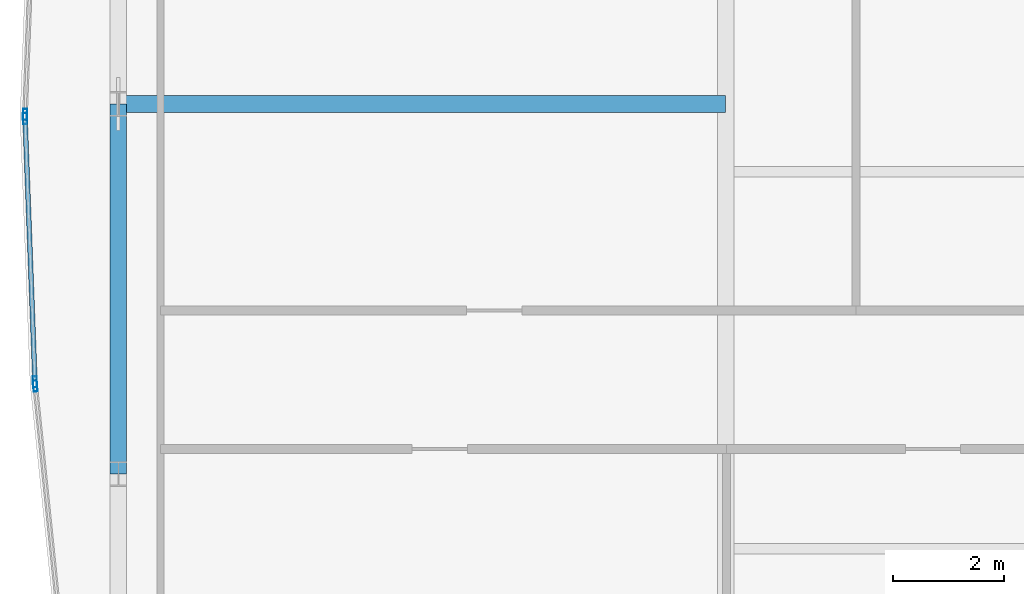
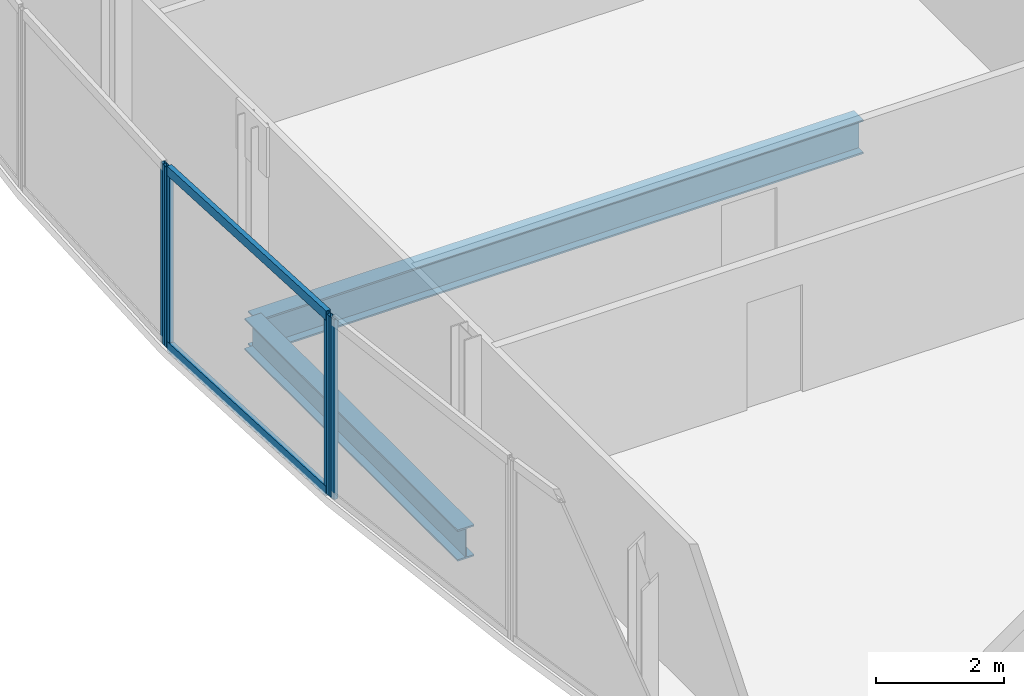
# One storey, part 10 of 32: 6 members, 2 beams, 3 elements without a shape of their own.
"""IFC4 building model written with IfcOpenShell, lengths in metres."""

from ifc_helpers import new_model, si_unit, direction, frame, origin, origin_2d, place, context, subcontext, project, spatial, hollow_rectangle, i_section, extrude, material, material_profile, profile_set, type_object, element, aggregate, save


model = new_model("IFC4")

# Units and contexts
model_context = context("Model", 3, precision=1e-05, world=origin(), true_north=direction((0.0, 1.0)))
body_context = subcontext(model_context, "Body", "Model", "MODEL_VIEW")
ifc_project = project(units=[si_unit("LENGTHUNIT", "METRE"), si_unit("AREAUNIT", "SQUARE_METRE"), si_unit("VOLUMEUNIT", "CUBIC_METRE"), si_unit("PLANEANGLEUNIT", "RADIAN"), si_unit("MASSUNIT", "GRAM", prefix="KILO")], contexts=[model_context])

# Site, building, storey
site_placement = place(None, origin())
site = spatial("IfcSite", under=ifc_project, at=site_placement, CompositionType="ELEMENT")
building_placement = place(site_placement, origin())
building = spatial("IfcBuilding", under=site, at=building_placement, Name="Khoronbel Lancet Exchange", CompositionType="ELEMENT")
storey_placement = place(building_placement, frame((0.0, 0.0, 228.199951171875)))
storey = spatial("IfcBuildingStorey", under=building, at=storey_placement, Name="L58", CompositionType="ELEMENT", Elevation=228.199951171875)

# Beams
ifc_material_1 = material(Name="Steel S355", Category="steel")
ifc_material_profile_1 = material_profile(ifc_material_1, i_section(OverallWidth=0.300048828125, OverallDepth=0.64990234375, WebThickness=0.01611328125, FlangeThickness=0.031005859375, at=origin_2d()), Name="HEB 650")
ifc_profile_set_1 = profile_set([ifc_material_profile_1], Name="Steel S355")
beam_type_1 = type_object("IfcBeamType", Name="BM-BG4", PredefinedType="BEAM", material=ifc_profile_set_1)
beam_1_placement = place(storey_placement, frame((7.27001953125, 31.425048828125, -0.48486328125), z_axis=(1.0, 0.0, 0.0), x_axis=(0.0, 1.0, 0.0)))
element("IfcBeam", 1, at=beam_1_placement, inside=storey, type_object=beam_type_1, Name="Level L58 west lens tie girder LG2W", PredefinedType="BEAM", context=body_context, shape_type="SweptSolid", body=[
    extrude(i_section(OverallWidth=0.300048828125, OverallDepth=0.64990234375, WebThickness=0.01611328125, FlangeThickness=0.031005859375, at=origin_2d()), origin(), (0.0, 0.0, 1.0), 10.955078125),
])
ifc_material_profile_2 = material_profile(ifc_material_1, i_section(OverallWidth=0.300048828125, OverallDepth=0.60009765625, WebThickness=0.015380859375, FlangeThickness=0.030029296875, at=origin_2d()), Name="HEB 600")
ifc_profile_set_2 = profile_set([ifc_material_profile_2], Name="Steel S355")
beam_type_2 = type_object("IfcBeamType", Name="BM-BSP2", PredefinedType="SPANDREL", material=ifc_profile_set_2)
beam_2_placement = place(storey_placement, frame((7.27001953125, 31.425048828125, -0.4599609375), z_axis=(0.0, -1.0, 0.0), x_axis=(1.0, 0.0, 0.0)))
element("IfcBeam", 2, at=beam_2_placement, inside=storey, type_object=beam_type_2, Name="Level L58 perimeter spandrel beam SP19", PredefinedType="SPANDREL", context=body_context, shape_type="SweptSolid", body=[
    extrude(i_section(OverallWidth=0.300048828125, OverallDepth=0.60009765625, WebThickness=0.015380859375, FlangeThickness=0.030029296875, at=origin_2d()), origin(), (0.0, 0.0, 1.0), 6.675048828125),
])

# Curtain wall, member
ifc_material_2 = material(Name="Low-E Solar Control Insulating Glass", Category="glass")
curtain_wall_type = type_object("IfcCurtainWallType", Name="CW-4", PredefinedType="NOTDEFINED", material=ifc_material_2)
curtain_wall_1_placement = place(storey_placement, origin())
curtain_wall_1 = element("IfcCurtainWall", 3, at=curtain_wall_1_placement, inside=storey, type_object=curtain_wall_type, Name="Unitised curtain wall CW-L58-E05", PredefinedType="NOTDEFINED")
ifc_material_3 = material(Name="Bronze-Anodised Aluminium 6063-T6", Category="aluminium")
ifc_material_profile_3 = material_profile(ifc_material_3, hollow_rectangle(XDim=0.074951171875, YDim=0.199951171875, WallThickness=0.0048828125, at=origin_2d()), Name="ALU MULLION 75x200")
ifc_profile_set_3 = profile_set([ifc_material_profile_3], Name="Bronze-Anodised Aluminium 6063-T6")
member_type_1 = type_object("IfcMemberType", Name="MEM-CWM2", PredefinedType="MULLION", material=ifc_profile_set_3)
member_1_placement = place(storey_placement, frame((5.769775390625, 26.335693359375, 0.0), z_axis=(0.0, 0.0, 1.0), x_axis=(-0.994772481584, -0.102116158773, 0.0)))
member_1 = element("IfcMember", 4, at=member_1_placement, type_object=member_type_1, Name="CW4 mullion 2", PredefinedType="MULLION", context=body_context, shape_type="SweptSolid", body=[
    extrude(hollow_rectangle(XDim=0.074951171875, YDim=0.199951171875, WallThickness=0.0048828125, at=origin_2d()), origin(), (0.0, 0.0, 1.0), 3.43994140625),
])
aggregate(curtain_wall_1, [member_1])

# Curtain wall, members
curtain_wall_2_placement = place(storey_placement, origin())
curtain_wall_2 = element("IfcCurtainWall", 5, at=curtain_wall_2_placement, inside=storey, type_object=curtain_wall_type, Name="Unitised curtain wall CW-L58-E06", PredefinedType="NOTDEFINED")
member_2_placement = place(storey_placement, frame((5.7646484375, 26.410400390625, 0.0), z_axis=(0.0, 0.0, 1.0), x_axis=(-0.99929538512, -0.037533095775, 0.0)))
member_2 = element("IfcMember", 6, at=member_2_placement, type_object=member_type_1, Name="CW4 mullion 1", PredefinedType="MULLION", context=body_context, shape_type="SweptSolid", body=[
    extrude(hollow_rectangle(XDim=0.074951171875, YDim=0.199951171875, WallThickness=0.0048828125, at=origin_2d()), origin(), (0.0, 0.0, 1.0), 3.43994140625),
])
member_3_placement = place(storey_placement, frame((5.586181640625, 31.16259765625, 0.0), z_axis=(0.0, 0.0, 1.0), x_axis=(-0.99929538512, -0.037533095775, 0.0)))
member_3 = element("IfcMember", 7, at=member_3_placement, type_object=member_type_1, Name="CW4 mullion 2", PredefinedType="MULLION", context=body_context, shape_type="SweptSolid", body=[
    extrude(hollow_rectangle(XDim=0.074951171875, YDim=0.199951171875, WallThickness=0.0048828125, at=origin_2d()), origin(), (0.0, 0.0, 1.0), 3.43994140625),
])

# Curtain wall, member
curtain_wall_3_placement = place(storey_placement, origin())
curtain_wall_3 = element("IfcCurtainWall", 8, at=curtain_wall_3_placement, inside=storey, type_object=curtain_wall_type, Name="Unitised curtain wall CW-L58-E07", PredefinedType="NOTDEFINED")
member_4_placement = place(storey_placement, frame((5.586181640625, 31.237548828125, 0.0), z_axis=(0.0, 0.0, 1.0), x_axis=(-0.99929538512, 0.037533095775, 0.0)))
member_4 = element("IfcMember", 9, at=member_4_placement, type_object=member_type_1, Name="CW4 mullion 1", PredefinedType="MULLION", context=body_context, shape_type="SweptSolid", body=[
    extrude(hollow_rectangle(XDim=0.074951171875, YDim=0.199951171875, WallThickness=0.0048828125, at=origin_2d()), origin(), (0.0, 0.0, 1.0), 3.43994140625),
])
aggregate(curtain_wall_3, [member_4])

# Member
ifc_material_profile_4 = material_profile(ifc_material_3, hollow_rectangle(XDim=0.0849609375, YDim=0.179931640625, WallThickness=0.0048828125, at=origin_2d()), Name="ALU TRANSOM 85x180")
ifc_profile_set_4 = profile_set([ifc_material_profile_4], Name="Bronze-Anodised Aluminium 6063-T6")
member_type_2 = type_object("IfcMemberType", Name="MEM-CWT1", PredefinedType="USERDEFINED", material=ifc_profile_set_4)
member_5_placement = place(storey_placement, frame((5.76318359375, 26.447998046875, 0.04248046875), z_axis=(-0.037557655838, 0.999294462352, 0.0), x_axis=(-0.999294462352, -0.037557655838, 0.0)))
member_5 = element("IfcMember", 10, at=member_5_placement, type_object=member_type_2, Name="CW4 transom 1.1", ObjectType="TRANSOM", PredefinedType="USERDEFINED", context=body_context, shape_type="SweptSolid", body=[
    extrude(hollow_rectangle(XDim=0.0849609375, YDim=0.179931640625, WallThickness=0.0048828125, at=origin_2d()), origin(), (0.0, 0.0, 1.0), 4.680419921875),
])

member_6_placement = place(storey_placement, frame((5.76318359375, 26.447998046875, 3.3974609375), z_axis=(-0.037557655838, 0.999294462352, 0.0), x_axis=(-0.999294462352, -0.037557655838, 0.0)))
member_6 = element("IfcMember", 11, at=member_6_placement, type_object=member_type_2, Name="CW4 transom 1.2", ObjectType="TRANSOM", PredefinedType="USERDEFINED", context=body_context, shape_type="SweptSolid", body=[
    extrude(hollow_rectangle(XDim=0.0849609375, YDim=0.179931640625, WallThickness=0.0048828125, at=origin_2d()), origin(), (0.0, 0.0, 1.0), 4.680419921875),
])

aggregate(curtain_wall_2, [member_2, member_3, member_5, member_6])

save(model, "model.ifc")
